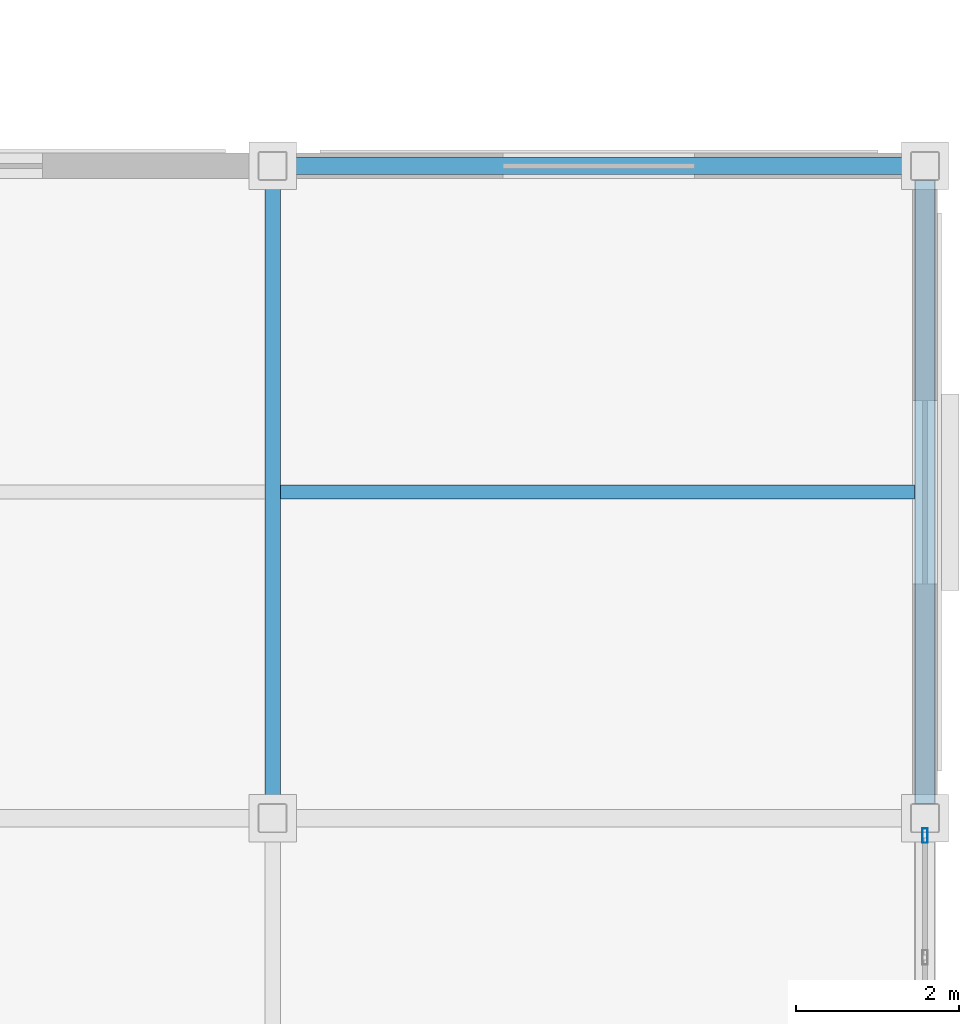
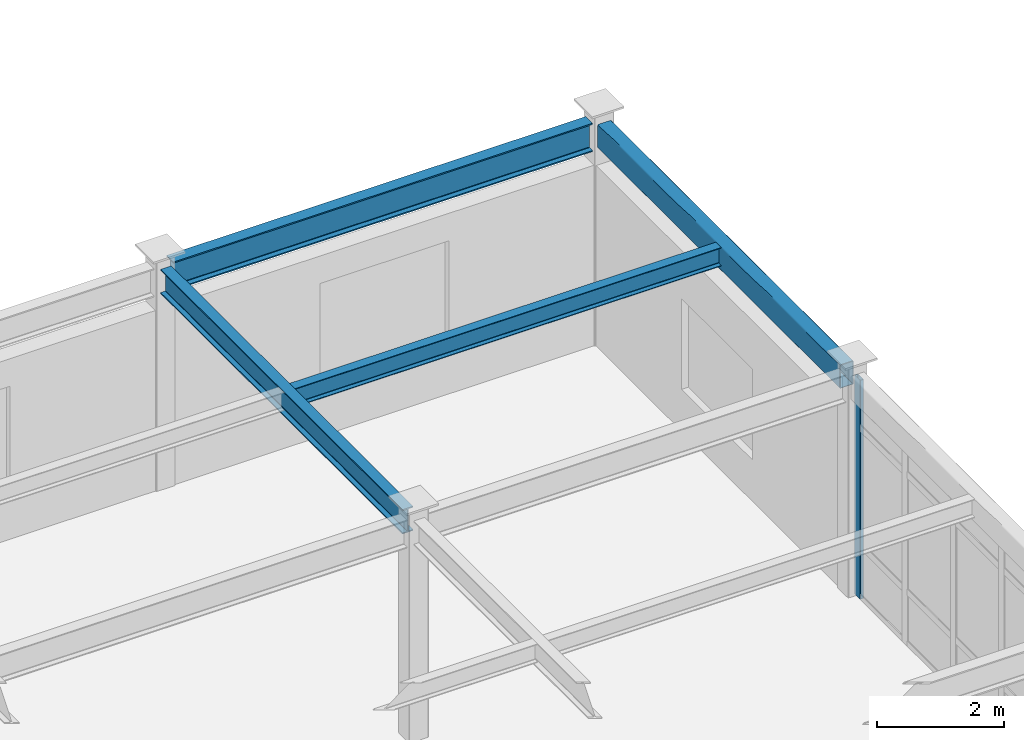
# One storey, part 69 of 111: 4 beams, 1 member, 1 element without a shape of its own.
"""IFC4 building model written with IfcOpenShell, lengths in metres."""

import ifcopenshell
import ifcopenshell.guid

model = None  # the IFC model being written
_history = None  # IfcOwnerHistory: only IFC2X3 demands one
_inside = {}  # id of a spatial element -> (the spatial element, [elements in it])
_under = {}  # id of a project, library or spatial element -> (it, [spatial elements below it])
_declared = {}  # id of a project -> (the project, [libraries it declares])
_typed = {}  # id of a type object -> (the type object, [elements of that type])
_made_of = {}  # id of a material, layer set ... -> (it, [elements and type objects made of it])


def new_model(schema):
    """Start an empty IFC model of exactly this schema.

    Asked for "IFC4X3", IfcOpenShell would pick the latest addendum, in which some entities
    have other attributes; the version numbers below select the first issue.
    IFC2X3 requires an IfcOwnerHistory on every rooted entity: one is made here for all.
    """
    global model, _history
    if schema == "IFC4X3":
        model = ifcopenshell.file(schema_version=(4, 3, 0, 0))
    else:
        model = ifcopenshell.file(schema=schema)
    _inside.clear()
    _under.clear()
    _declared.clear()
    _typed.clear()
    _made_of.clear()
    _history = None
    if model.schema == "IFC2X3":
        org = make("IfcOrganization", Name="unknown")
        user = make(
            "IfcPersonAndOrganization",
            ThePerson=make("IfcPerson", FamilyName="unknown"),
            TheOrganization=org,
        )
        app = make(
            "IfcApplication",
            ApplicationDeveloper=org,
            Version="unknown",
            ApplicationFullName="unknown",
            ApplicationIdentifier="unknown",
        )
        _history = make(
            "IfcOwnerHistory",
            OwningUser=user,
            OwningApplication=app,
            ChangeAction="ADDED",
            CreationDate=0,
        )
    return model


def make(cls, **values):
    """One entity of the class cls with the attributes given. An attribute that is None is left unset."""
    return model.create_entity(
        cls, **{name: value for name, value in values.items() if value is not None}
    )


def rooted(cls, **values):
    """An entity with a GlobalId (a new one), such as an element, a storey or a relation."""
    return make(cls, GlobalId=ifcopenshell.guid.new(), OwnerHistory=_history, **values)


def si_unit(unit_type, name, prefix=None):
    """IfcSIUnit, for example si_unit("LENGTHUNIT", "METRE", prefix="MILLI")."""
    return make("IfcSIUnit", UnitType=unit_type, Prefix=prefix, Name=name)


def assignment(units):
    """IfcUnitAssignment: the units of a project."""
    return None if units is None else make("IfcUnitAssignment", Units=units)


def point(xyz):
    """IfcCartesianPoint."""
    return None if xyz is None else make("IfcCartesianPoint", Coordinates=xyz)


def direction(xyz):
    """IfcDirection."""
    return None if xyz is None else make("IfcDirection", DirectionRatios=xyz)


def frame(location, z_axis=None, x_axis=None):
    """IfcAxis2Placement3D, a coordinate frame: its origin and axes. An axis left out is left unset."""
    return make(
        "IfcAxis2Placement3D",
        Location=point(location),
        Axis=direction(z_axis),
        RefDirection=direction(x_axis),
    )


def frame_2d(location, x_axis=None):
    """IfcAxis2Placement2D, a coordinate frame in the plane: its origin and x axis."""
    return make(
        "IfcAxis2Placement2D", Location=point(location), RefDirection=direction(x_axis)
    )


def origin():
    """The frame at (0, 0, 0) with its axes left unset."""
    return frame((0.0, 0.0, 0.0))


def origin_2d():
    """The frame at (0, 0) in the plane with its x axis left unset."""
    return frame_2d((0.0, 0.0))


def place(relative_to, where):
    """IfcLocalPlacement: puts the frame where relative to a parent placement (None: the world)."""
    return make(
        "IfcLocalPlacement", PlacementRelTo=relative_to, RelativePlacement=where
    )


def context(
    kind, dimensions, precision=None, world=None, true_north=None, identifier=None
):
    """IfcGeometricRepresentationContext, for example the 3D "Model" context."""
    return make(
        "IfcGeometricRepresentationContext",
        ContextIdentifier=identifier,
        ContextType=kind,
        CoordinateSpaceDimension=dimensions,
        Precision=precision,
        WorldCoordinateSystem=world,
        TrueNorth=true_north,
    )


def subcontext(parent, identifier, kind, view, scale=None):
    """IfcGeometricRepresentationSubContext, for example "Body" below "Model"."""
    return make(
        "IfcGeometricRepresentationSubContext",
        ContextIdentifier=identifier,
        ContextType=kind,
        ParentContext=parent,
        TargetScale=scale,
        TargetView=view,
    )


def project(units=None, contexts=None):
    """IfcProject with its units and contexts."""
    return rooted(
        "IfcProject",
        Name="project",
        RepresentationContexts=contexts,
        UnitsInContext=assignment(units),
    )


def spatial(cls, under=None, at=None, **own):
    """A site, building, storey or space (cls), placed at a placement, below another one or the project."""
    s = rooted(cls, ObjectPlacement=at, **own)
    if under is not None:
        _under.setdefault(under.id(), (under, []))[1].append(s)
    return s


def profile(cls, at=None, kind="AREA", **sizes):
    """A parametric profile (cls). Its sizes go by their IFC names, for example OverallWidth=200.0."""
    return make(cls, ProfileType=kind, Position=at, **sizes)


def hollow_rectangle(**sizes):
    """IfcRectangleHollowProfileDef."""
    return profile("IfcRectangleHollowProfileDef", **sizes)


def i_section(**sizes):
    """IfcIShapeProfileDef."""
    return profile("IfcIShapeProfileDef", **sizes)


def extrude(swept, where, along, depth):
    """IfcExtrudedAreaSolid: the profile swept, set in the frame where, extruded along a direction by depth."""
    return make(
        "IfcExtrudedAreaSolid",
        SweptArea=swept,
        Position=where,
        ExtrudedDirection=direction(along),
        Depth=depth,
    )


def shape(context_of_items, identifier, shape_type, items):
    """IfcShapeRepresentation: the items that make up one representation, for example the "Body"."""
    return make(
        "IfcShapeRepresentation",
        ContextOfItems=context_of_items,
        RepresentationIdentifier=identifier,
        RepresentationType=shape_type,
        Items=items,
    )


def material(Name=None, Category=None):
    """IfcMaterial."""
    return make("IfcMaterial", Name=Name, Category=Category)


def material_profile(
    of_material, cross_section, Name=None, Category=None, Priority=None
):
    """IfcMaterialProfile: a cross section and its material."""
    return make(
        "IfcMaterialProfile",
        Name=Name,
        Material=of_material,
        Profile=cross_section,
        Priority=Priority,
        Category=Category,
    )


def profile_set(profiles, Name=None, composite=None):
    """IfcMaterialProfileSet."""
    return make(
        "IfcMaterialProfileSet",
        Name=Name,
        MaterialProfiles=profiles,
        CompositeProfile=composite,
    )


def made_of(thing, what):
    """Note that an element or type object is made of a material, layer set ...; save() writes the relation."""
    if what is not None:
        _made_of.setdefault(what.id(), (what, []))[1].append(thing)
    return thing


def type_object(cls, material=None, **own):
    """A type object (cls), such as IfcWallType, which elements share."""
    return made_of(rooted(cls, **own), material)


def element(
    cls,
    number,
    at=None,
    inside=None,
    cuts=None,
    type_object=None,
    material=None,
    context=None,
    identifier="Body",
    shape_type=None,
    held_by="IfcProductDefinitionShape",
    body=None,
    shapes=None,
    **own,
):
    """One element of the class cls, such as IfcWall. Its Tag is "e" and its number.

    at: its placement. inside: the storey or other place that contains it. cuts: it is an
    opening in that element (IfcRelVoidsElement). A single representation is given by context,
    identifier, shape_type and body (its items); several are given by shapes. held_by: the class
    of the entity that holds the representations. save() writes the other relations.
    """
    e = rooted(cls, Tag="e%d" % number, ObjectPlacement=at, **own)
    if body is not None:
        shapes = [shape(context, identifier, shape_type, body)]
    if shapes is not None:
        e.Representation = make(held_by, Representations=shapes)
    if inside is not None:
        _inside.setdefault(inside.id(), (inside, []))[1].append(e)
    if cuts is not None:
        rooted(
            "IfcRelVoidsElement", RelatingBuildingElement=cuts, RelatedOpeningElement=e
        )
    if type_object is not None:
        _typed.setdefault(type_object.id(), (type_object, []))[1].append(e)
    return made_of(e, material)


def aggregate(whole, parts):
    """IfcRelAggregates: a whole, such as a stair, and the parts it consists of."""
    return rooted("IfcRelAggregates", RelatingObject=whole, RelatedObjects=parts)


def save(model, path):
    """Write the relations noted so far, then the file.

    IfcRelAggregates (storeys below a building ...), IfcRelContainedInSpatialStructure (elements
    in a storey), IfcRelDefinesByType, IfcRelAssociatesMaterial and IfcRelDeclares: one each for
    every whole, place, type object, material and project.
    """
    for whole, parts in _under.values():
        aggregate(whole, parts)
    for where, things in _inside.values():
        rooted(
            "IfcRelContainedInSpatialStructure",
            RelatedElements=things,
            RelatingStructure=where,
        )
    for kind, things in _typed.values():
        rooted("IfcRelDefinesByType", RelatedObjects=things, RelatingType=kind)
    for what, things in _made_of.values():
        rooted("IfcRelAssociatesMaterial", RelatedObjects=things, RelatingMaterial=what)
    for by, libraries in _declared.values():
        rooted("IfcRelDeclares", RelatingContext=by, RelatedDefinitions=libraries)
    model.write(path)


model = new_model("IFC4")

# Units and contexts
model_context = context("Model", 3, precision=1e-05, world=origin(), true_north=direction((0.0, 1.0)))
body_context = subcontext(model_context, "Body", "Model", "MODEL_VIEW")
ifc_project = project(units=[si_unit("LENGTHUNIT", "METRE"), si_unit("AREAUNIT", "SQUARE_METRE"), si_unit("VOLUMEUNIT", "CUBIC_METRE"), si_unit("PLANEANGLEUNIT", "RADIAN"), si_unit("MASSUNIT", "GRAM", prefix="KILO")], contexts=[model_context])

# Site, building, storey
site_placement = place(None, origin())
site = spatial("IfcSite", under=ifc_project, at=site_placement, CompositionType="ELEMENT")
building_placement = place(site_placement, origin())
building = spatial("IfcBuilding", under=site, at=building_placement, Name="Solmirada Galleria", CompositionType="ELEMENT")
storey_placement = place(building_placement, frame((0.0, 0.0, 10.39990234375)))
storey = spatial("IfcBuildingStorey", under=building, at=storey_placement, Name="L02", CompositionType="ELEMENT", Elevation=10.39990234375)

# Beams
ifc_material_1 = material(Name="Steel S355 / ASTM A992 Grade 50", Category="steel")
ifc_material_profile_1 = material_profile(ifc_material_1, i_section(OverallWidth=0.194091796875, OverallDepth=0.468994140625, WebThickness=0.0126953125, FlangeThickness=0.0205078125, FilletRadius=0.013916015625, at=origin_2d()), Name="W18X71")
ifc_profile_set_1 = profile_set([ifc_material_profile_1], Name="Steel S355 / ASTM A992 Grade 50")
beam_type_1 = type_object("IfcBeamType", Name="BM-GIRD-W18B", PredefinedType="BEAM", material=ifc_profile_set_1)
beam_1_placement = place(storey_placement, frame((168.0, 24.177978515625, 4.025634765625), z_axis=(0.0, 1.0, 0.0), x_axis=(-1.0, 0.0, 0.0)))
element("IfcBeam", 1, at=beam_1_placement, inside=storey, type_object=beam_type_1, Name="Primary girder L03 Y(168, 24..32)", PredefinedType="BEAM", context=body_context, shape_type="SweptSolid", body=[
    extrude(i_section(OverallWidth=0.194091796875, OverallDepth=0.468994140625, WebThickness=0.0126953125, FlangeThickness=0.0205078125, FilletRadius=0.013916015625, at=origin_2d()), origin(), (0.0, 0.0, 1.0), 7.64404296875),
])
ifc_material_profile_2 = material_profile(ifc_material_1, i_section(OverallWidth=0.214111328125, OverallDepth=0.549072265625, WebThickness=0.0146484375, FlangeThickness=0.023681640625, FilletRadius=0.014892578125, at=origin_2d()), Name="W21X93")
ifc_profile_set_2 = profile_set([ifc_material_profile_2], Name="Steel S355 / ASTM A992 Grade 50")
beam_type_2 = type_object("IfcBeamType", Name="BM-GIRD-W21A", PredefinedType="BEAM", material=ifc_profile_set_2)
beam_2_placement = place(storey_placement, frame((168.177978515625, 32.0, 3.985595703125), z_axis=(1.0, 0.0, 0.0), x_axis=(0.0, 1.0, 0.0)))
element("IfcBeam", 2, at=beam_2_placement, inside=storey, type_object=beam_type_2, Name="Primary beam L03 X(168..176, 32)", PredefinedType="BEAM", context=body_context, shape_type="SweptSolid", body=[
    extrude(i_section(OverallWidth=0.214111328125, OverallDepth=0.549072265625, WebThickness=0.0146484375, FlangeThickness=0.023681640625, FilletRadius=0.014892578125, at=origin_2d()), origin(), (0.0, 0.0, 1.0), 7.64404296875),
])
ifc_material_profile_3 = material_profile(ifc_material_1, i_section(OverallWidth=0.172119140625, OverallDepth=0.35791015625, WebThickness=0.0078125, FlangeThickness=0.01318359375, FilletRadius=0.011962890625, at=origin_2d()), Name="W14X38")
ifc_profile_set_3 = profile_set([ifc_material_profile_3], Name="Steel S355 / ASTM A992 Grade 50")
beam_type_3 = type_object("IfcBeamType", Name="BM-JST-W14A", PredefinedType="JOIST", material=ifc_profile_set_3)
beam_3_placement = place(storey_placement, frame((168.096923828125, 28.0, 4.0810546875), z_axis=(1.0, 0.0, 0.0), x_axis=(0.0, 1.0, 0.0)))
element("IfcBeam", 3, at=beam_3_placement, inside=storey, type_object=beam_type_3, Name="Composite floor joist L03 (168..176, 28.0)", PredefinedType="JOIST", context=body_context, shape_type="SweptSolid", body=[
    extrude(i_section(OverallWidth=0.172119140625, OverallDepth=0.35791015625, WebThickness=0.0078125, FlangeThickness=0.01318359375, FilletRadius=0.011962890625, at=origin_2d()), origin(), (0.0, 0.0, 1.0), 7.776123046875),
])
ifc_material_2 = material(Name="Steel S355 / ASTM A500 Grade C", Category="steel")
ifc_material_profile_4 = material_profile(ifc_material_2, hollow_rectangle(XDim=0.25390625, YDim=0.45703125, WallThickness=0.01171875, InnerFilletRadius=0.01171875, OuterFilletRadius=0.023681640625, at=origin_2d()), Name="HSS18X10X1/2")
ifc_profile_set_4 = profile_set([ifc_material_profile_4], Name="Steel S355 / ASTM A500 Grade C")
beam_type_4 = type_object("IfcBeamType", Name="BM-SPAND-W18", PredefinedType="SPANDREL", material=ifc_profile_set_4)
beam_4_placement = place(storey_placement, frame((176.0, 24.177978515625, 4.031494140625), z_axis=(0.0, 1.0, 0.0), x_axis=(-1.0, 0.0, 0.0)))
element("IfcBeam", 4, at=beam_4_placement, inside=storey, type_object=beam_type_4, Name="Primary girder L03 Y(176, 24..32)", PredefinedType="SPANDREL", context=body_context, shape_type="SweptSolid", body=[
    extrude(hollow_rectangle(XDim=0.25390625, YDim=0.45703125, WallThickness=0.01171875, InnerFilletRadius=0.01171875, OuterFilletRadius=0.023681640625, at=origin_2d()), origin(), (0.0, 0.0, 1.0), 7.64404296875),
])

# Curtain wall, member
ifc_material_3 = material(Name="Impact-resistant low-E double glazing", Category="glass")
curtain_wall_type = type_object("IfcCurtainWallType", Name="CW-FZ5-L02-B5-L076", PredefinedType="NOTDEFINED", material=ifc_material_3)
curtain_wall_placement = place(storey_placement, origin())
curtain_wall = element("IfcCurtainWall", 5, at=curtain_wall_placement, inside=storey, type_object=curtain_wall_type, Name="Terrace and arcade storefront CW-L02-116", PredefinedType="NOTDEFINED")
ifc_material_4 = material(Name="Anodised aluminium framing", Category="aluminium")
ifc_material_profile_5 = material_profile(ifc_material_4, hollow_rectangle(XDim=0.06494140625, YDim=0.179931640625, WallThickness=0.00390625, InnerFilletRadius=0.00390625, OuterFilletRadius=0.008056640625, at=origin_2d()), Name="ALU-MULL-180X65")
ifc_profile_set_5 = profile_set([ifc_material_profile_5], Name="Anodised aluminium framing")
member_type = type_object("IfcMemberType", Name="CW-MULL-180", PredefinedType="MULLION", material=ifc_profile_set_5)
member_placement = place(storey_placement, frame((176.0, 23.78759765625, 0.0), z_axis=(0.0, 0.0, 1.0), x_axis=(1.0, 0.0, 0.0)))
member = element("IfcMember", 6, at=member_placement, type_object=member_type, Name="CW26 mullion 1", PredefinedType="MULLION", context=body_context, shape_type="SweptSolid", body=[
    extrude(hollow_rectangle(XDim=0.06494140625, YDim=0.179931640625, WallThickness=0.00390625, InnerFilletRadius=0.00390625, OuterFilletRadius=0.008056640625, at=origin_2d()), origin(), (0.0, 0.0, 1.0), 4.22021484375),
])
aggregate(curtain_wall, [member])

save(model, "model.ifc")
